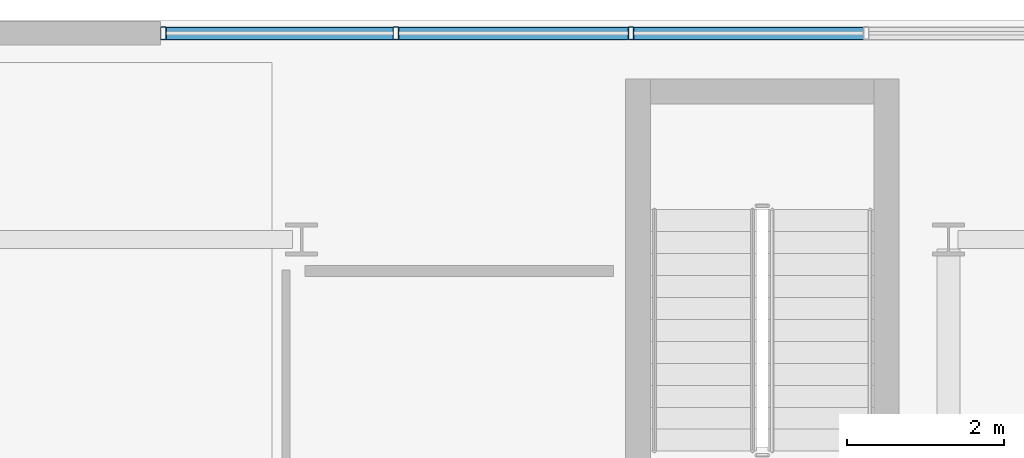
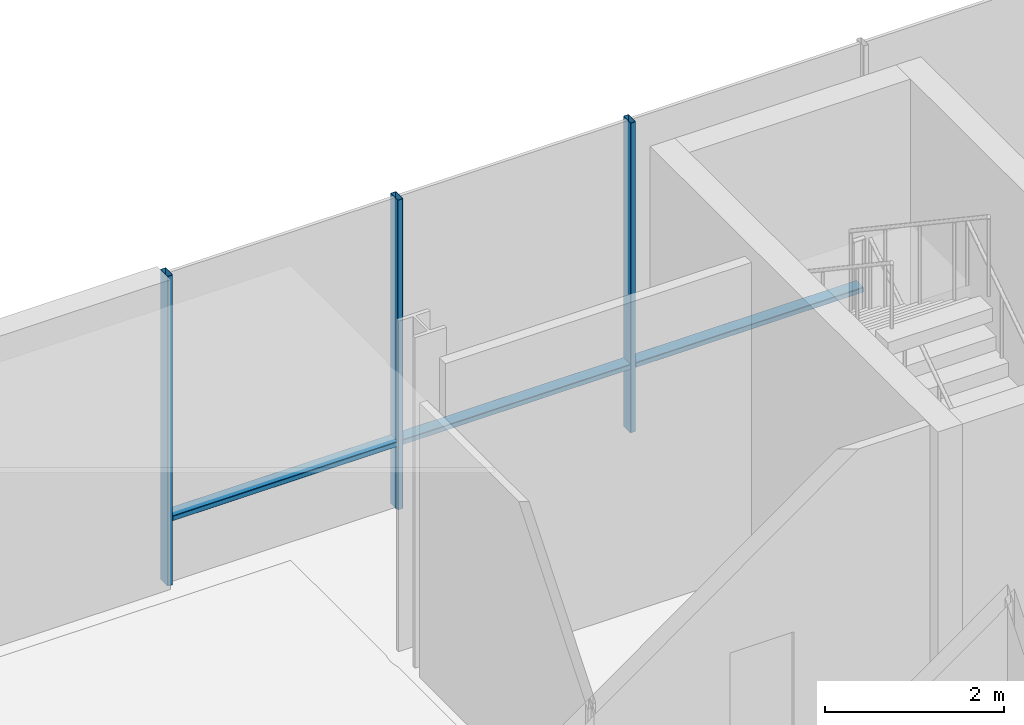
# One storey, part 9 of 25: 6 members, 1 element without a shape of its own.
"""IFC4 building model written with IfcOpenShell, lengths in metres."""

from ifc_helpers import new_model, si_unit, direction, frame, origin, origin_2d, place, context, subcontext, project, spatial, hollow_rectangle, extrude, material, layer, layer_set, material_profile, profile_set, type_object, element, aggregate, save


model = new_model("IFC4")

# Units and contexts
model_context = context("Model", 3, precision=1e-05, world=origin(), true_north=direction((0.0, 1.0)))
body_context = subcontext(model_context, "Body", "Model", "MODEL_VIEW")
ifc_project = project(units=[si_unit("LENGTHUNIT", "METRE"), si_unit("AREAUNIT", "SQUARE_METRE"), si_unit("VOLUMEUNIT", "CUBIC_METRE"), si_unit("PLANEANGLEUNIT", "RADIAN"), si_unit("MASSUNIT", "GRAM", prefix="KILO")], contexts=[model_context])

# Site, building, storey
site_placement = place(None, origin())
site = spatial("IfcSite", under=ifc_project, at=site_placement, CompositionType="ELEMENT")
building_placement = place(site_placement, origin())
building = spatial("IfcBuilding", under=site, at=building_placement, Name="Brevholm Reach", CompositionType="ELEMENT")
storey_placement = place(building_placement, frame((0.0, 0.0, 13.5)))
storey = spatial("IfcBuildingStorey", under=building, at=storey_placement, Name="L03", CompositionType="ELEMENT", Elevation=13.5)

# Curtain wall, members
ifc_material_1 = material(Name="Dark Anodised Aluminium 6063-T6 and Solar-Control Glass", Category="aluminium")
ifc_layer = layer(ifc_material_1, 0.1650390625)
ifc_layer_set = layer_set([ifc_layer], Name="Dark Anodised Aluminium 6063-T6 and Solar-Control Glass")
curtain_wall_type = type_object("IfcCurtainWallType", Name="CW-03", PredefinedType="NOTDEFINED", material=ifc_layer_set)
curtain_wall_placement = place(storey_placement, origin())
curtain_wall = element("IfcCurtainWall", 1, at=curtain_wall_placement, inside=storey, type_object=curtain_wall_type, Name="L03 Curtain Wall CW-03", PredefinedType="NOTDEFINED")
ifc_material_2 = material(Name="Dark Anodised Aluminium 6063-T6", Category="aluminium")
ifc_material_profile_1 = material_profile(ifc_material_2, hollow_rectangle(XDim=0.070068359375, YDim=0.1650390625, WallThickness=0.0048828125, InnerFilletRadius=0.0048828125, OuterFilletRadius=0.010009765625, at=origin_2d()), Name="RHS 165x70x5")
ifc_profile_set_1 = profile_set([ifc_material_profile_1], Name="Dark Anodised Aluminium 6063-T6")
member_type_1 = type_object("IfcMemberType", Name="CWM-165", PredefinedType="MULLION", material=ifc_profile_set_1)
member_1_placement = place(storey_placement, frame((28.235107421875, 39.830078125, 0.0), z_axis=(0.0, 0.0, 1.0), x_axis=(1.0, 0.0, 0.0)))
member_1 = element("IfcMember", 2, at=member_1_placement, type_object=member_type_1, Name="CM-165 Mullion 1", PredefinedType="MULLION", context=body_context, shape_type="SweptSolid", body=[
    extrude(hollow_rectangle(XDim=0.070068359375, YDim=0.1650390625, WallThickness=0.0048828125, InnerFilletRadius=0.0048828125, OuterFilletRadius=0.010009765625, at=origin_2d()), origin(), (0.0, 0.0, 1.0), 4.219970703125),
])
member_2_placement = place(storey_placement, frame((31.199951171875, 39.830078125, 0.0), z_axis=(0.0, 0.0, 1.0), x_axis=(1.0, 0.0, 0.0)))
member_2 = element("IfcMember", 3, at=member_2_placement, type_object=member_type_1, Name="CM-165 Mullion 2", PredefinedType="MULLION", context=body_context, shape_type="SweptSolid", body=[
    extrude(hollow_rectangle(XDim=0.070068359375, YDim=0.1650390625, WallThickness=0.0048828125, InnerFilletRadius=0.0048828125, OuterFilletRadius=0.010009765625, at=origin_2d()), origin(), (0.0, 0.0, 1.0), 4.219970703125),
])
member_3_placement = place(storey_placement, frame((34.199951171875, 39.830078125, 0.0), z_axis=(0.0, 0.0, 1.0), x_axis=(1.0, 0.0, 0.0)))
member_3 = element("IfcMember", 4, at=member_3_placement, type_object=member_type_1, Name="CM-165 Mullion 3", PredefinedType="MULLION", context=body_context, shape_type="SweptSolid", body=[
    extrude(hollow_rectangle(XDim=0.070068359375, YDim=0.1650390625, WallThickness=0.0048828125, InnerFilletRadius=0.0048828125, OuterFilletRadius=0.010009765625, at=origin_2d()), origin(), (0.0, 0.0, 1.0), 4.219970703125),
])
ifc_material_3 = material(Name="Dark Anodised Aluminium 6063-T6", Category="aluminium")
ifc_material_profile_2 = material_profile(ifc_material_3, hollow_rectangle(XDim=0.070068359375, YDim=0.1650390625, WallThickness=0.0048828125, InnerFilletRadius=0.0048828125, OuterFilletRadius=0.010009765625, at=origin_2d()), Name="RHS 165x70x5")
ifc_profile_set_2 = profile_set([ifc_material_profile_2], Name="Dark Anodised Aluminium 6063-T6")
member_type_2 = type_object("IfcMemberType", Name="CWT-165", PredefinedType="NOTDEFINED", material=ifc_profile_set_2)
member_4_placement = place(storey_placement, frame((28.27001953125, 39.830078125, 0.89990234375), z_axis=(1.0, 0.0, 0.0), x_axis=(0.0, 0.0, 1.0)))
member_4 = element("IfcMember", 5, at=member_4_placement, type_object=member_type_2, Name="CT-165 Transom 1.1", ObjectType="TRANSOM", PredefinedType="USERDEFINED", context=body_context, shape_type="SweptSolid", body=[
    extrude(hollow_rectangle(XDim=0.070068359375, YDim=0.1650390625, WallThickness=0.0048828125, InnerFilletRadius=0.0048828125, OuterFilletRadius=0.010009765625, at=origin_2d()), origin(), (0.0, 0.0, 1.0), 2.89501953125),
])
member_5_placement = place(storey_placement, frame((31.235107421875, 39.830078125, 0.89990234375), z_axis=(1.0, 0.0, 0.0), x_axis=(0.0, 0.0, 1.0)))
member_5 = element("IfcMember", 6, at=member_5_placement, type_object=member_type_2, Name="CT-165 Transom 2.1", ObjectType="TRANSOM", PredefinedType="USERDEFINED", context=body_context, shape_type="SweptSolid", body=[
    extrude(hollow_rectangle(XDim=0.070068359375, YDim=0.1650390625, WallThickness=0.0048828125, InnerFilletRadius=0.0048828125, OuterFilletRadius=0.010009765625, at=origin_2d()), origin(), (0.0, 0.0, 1.0), 2.929931640625),
])
member_6_placement = place(storey_placement, frame((34.235107421875, 39.830078125, 0.89990234375), z_axis=(1.0, 0.0, 0.0), x_axis=(0.0, 0.0, 1.0)))
member_6 = element("IfcMember", 7, at=member_6_placement, type_object=member_type_2, Name="CT-165 Transom 3.1", ObjectType="TRANSOM", PredefinedType="USERDEFINED", context=body_context, shape_type="SweptSolid", body=[
    extrude(hollow_rectangle(XDim=0.070068359375, YDim=0.1650390625, WallThickness=0.0048828125, InnerFilletRadius=0.0048828125, OuterFilletRadius=0.010009765625, at=origin_2d()), origin(), (0.0, 0.0, 1.0), 2.929931640625),
])
aggregate(curtain_wall, [member_1, member_2, member_3, member_4, member_5, member_6])

save(model, "model.ifc")
